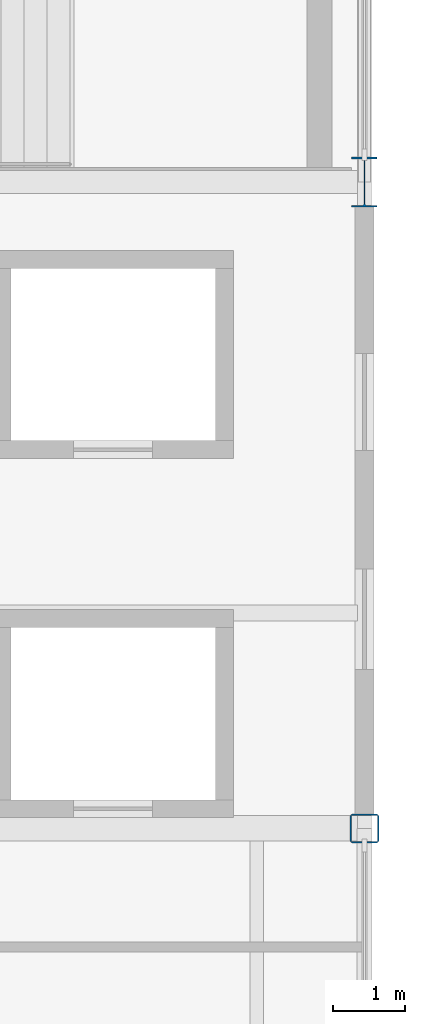
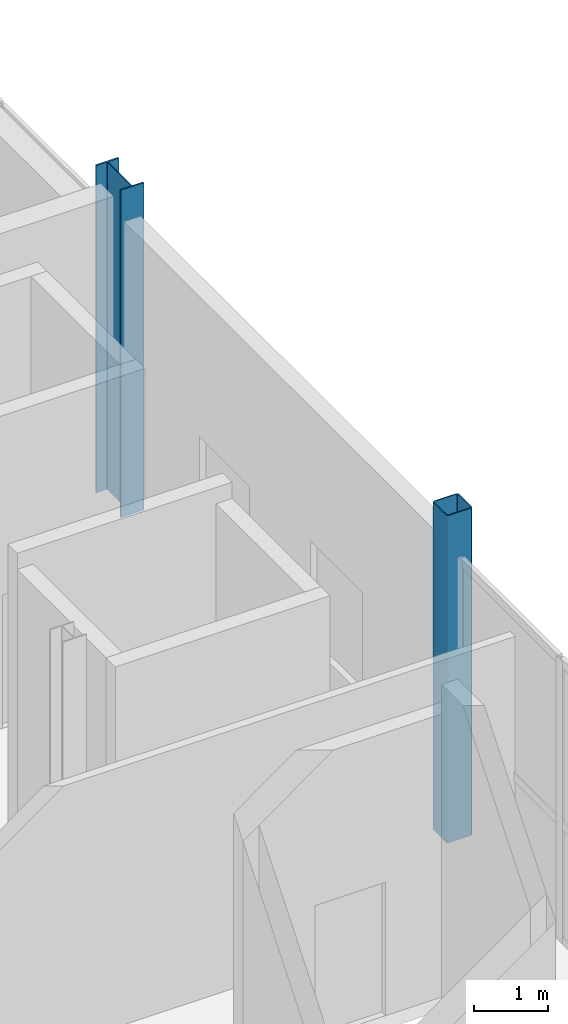
# One storey, part 16 of 119: 2 columns.
"""IFC4 building model written with IfcOpenShell, lengths in metres."""

from ifc_helpers import new_model, si_unit, direction, frame, origin, origin_2d, place, context, subcontext, project, spatial, hollow_rectangle, i_section, extrude, material, material_profile, profile_set, type_object, element, save


model = new_model("IFC4")

# Units and contexts
model_context = context("Model", 3, precision=1e-05, world=origin(), true_north=direction((0.0, 1.0)))
body_context = subcontext(model_context, "Body", "Model", "MODEL_VIEW")
ifc_project = project(units=[si_unit("LENGTHUNIT", "METRE"), si_unit("AREAUNIT", "SQUARE_METRE"), si_unit("VOLUMEUNIT", "CUBIC_METRE"), si_unit("PLANEANGLEUNIT", "RADIAN"), si_unit("MASSUNIT", "GRAM", prefix="KILO")], contexts=[model_context])

# Site, building, storey
site_placement = place(None, origin())
site = spatial("IfcSite", under=ifc_project, at=site_placement, CompositionType="ELEMENT")
building_placement = place(site_placement, origin())
building = spatial("IfcBuilding", under=site, at=building_placement, Name="Qamarlyn Nura Convention Centre", CompositionType="ELEMENT")
storey_placement = place(building_placement, frame((0.0, 0.0, 5.39990234375)))
storey = spatial("IfcBuildingStorey", under=building, at=storey_placement, Name="L01", CompositionType="ELEMENT", Elevation=5.39990234375)

# Columns
ifc_material_1 = material(Name="Steel ASTM A500 Grade C", Category="steel")
ifc_material_profile_1 = material_profile(ifc_material_1, hollow_rectangle(XDim=0.39990234375, YDim=0.39990234375, WallThickness=0.01611328125, InnerFilletRadius=0.01611328125, OuterFilletRadius=0.031982421875, at=origin_2d()), Name="HSS400X400X16")
ifc_profile_set_1 = profile_set([ifc_material_profile_1], Name="Steel ASTM A500 Grade C")
column_type_1 = type_object("IfcColumnType", Name="COL-HSS-1", PredefinedType="COLUMN", material=ifc_profile_set_1)
column_1_placement = place(storey_placement, frame((192.0, 54.0, 0.0), z_axis=(0.0, 0.0, 1.0), x_axis=(1.0, 0.0, 0.0)))
element("IfcColumn", 1, at=column_1_placement, inside=storey, type_object=column_type_1, Name="L01 column 18/G", PredefinedType="COLUMN", context=body_context, shape_type="SweptSolid", body=[
    extrude(hollow_rectangle(XDim=0.39990234375, YDim=0.39990234375, WallThickness=0.01611328125, InnerFilletRadius=0.01611328125, OuterFilletRadius=0.031982421875, at=origin_2d()), origin(), (0.0, 0.0, 1.0), 5.400146484375),
])
ifc_material_2 = material(Name="Steel ASTM A992", Category="steel")
ifc_material_profile_2 = material_profile(ifc_material_2, i_section(OverallWidth=0.35498046875, OverallDepth=0.695068359375, WebThickness=0.015380859375, FlangeThickness=0.02490234375, FilletRadius=0.01806640625, at=origin_2d()), Name="W690X217")
ifc_profile_set_2 = profile_set([ifc_material_profile_2], Name="Steel ASTM A992")
column_type_2 = type_object("IfcColumnType", Name="COL-WING-5", PredefinedType="COLUMN", material=ifc_profile_set_2)
column_2_placement = place(storey_placement, frame((192.0, 63.0, 0.0), z_axis=(0.0, 0.0, 1.0), x_axis=(1.0, 0.0, 0.0)))
element("IfcColumn", 2, at=column_2_placement, inside=storey, type_object=column_type_2, Name="L01 column 18/H", PredefinedType="COLUMN", context=body_context, shape_type="SweptSolid", body=[
    extrude(i_section(OverallWidth=0.35498046875, OverallDepth=0.695068359375, WebThickness=0.015380859375, FlangeThickness=0.02490234375, FilletRadius=0.01806640625, at=origin_2d()), origin(), (0.0, 0.0, 1.0), 5.400146484375),
])

save(model, "model.ifc")
